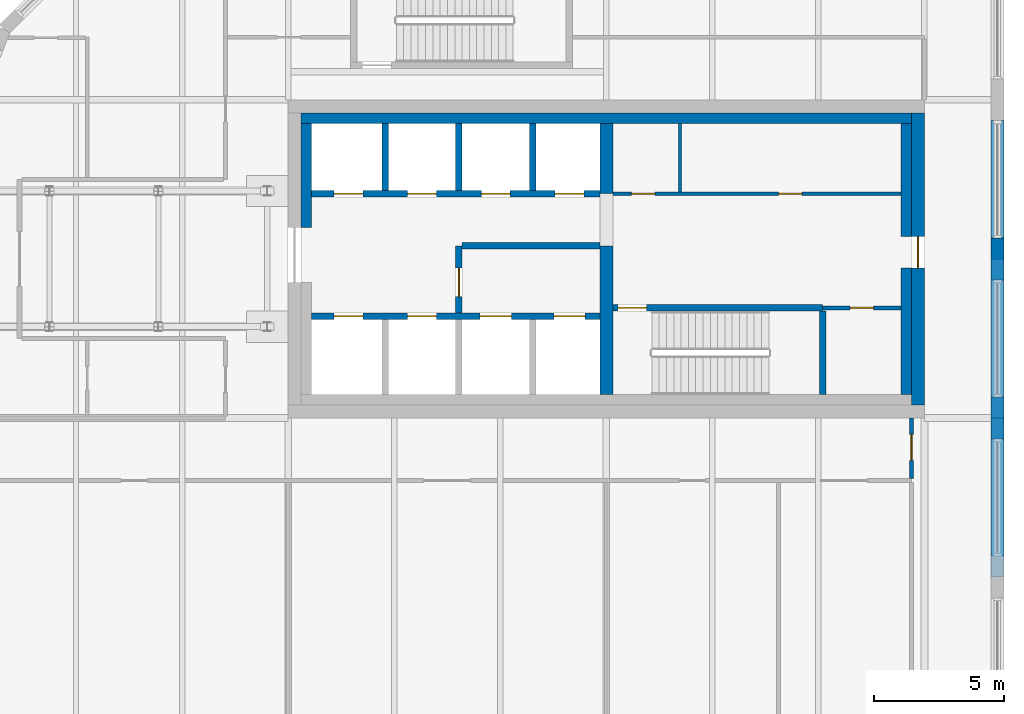
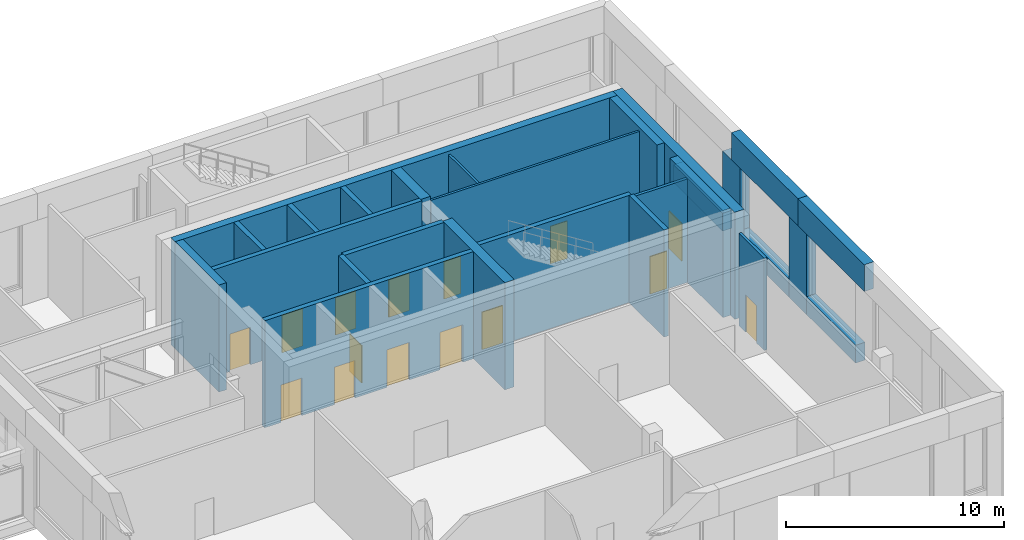
# One storey, part 29 of 36: 27 walls, 15 doors, 15 openings.
"""IFC4 building model written with IfcOpenShell, lengths in metres."""

from ifc_helpers import new_model, si_unit, direction, frame, frame_2d, origin, place, context, subcontext, project, spatial, polyline, rectangle, outline, extrude, faceted_brep, source, transform, mapped, material, layer, layer_set, type_object, element, fill, save


model = new_model("IFC4")

# Units and contexts
model_context = context("Model", 3, precision=1e-05, world=origin(), true_north=direction((0.0, 1.0)))
body_context = subcontext(model_context, "Body", "Model", "MODEL_VIEW")
ifc_project = project(units=[si_unit("LENGTHUNIT", "METRE"), si_unit("AREAUNIT", "SQUARE_METRE"), si_unit("VOLUMEUNIT", "CUBIC_METRE"), si_unit("PLANEANGLEUNIT", "RADIAN"), si_unit("MASSUNIT", "GRAM", prefix="KILO")], contexts=[model_context])

# Site, building, storey
site_placement = place(None, origin())
site = spatial("IfcSite", under=ifc_project, at=site_placement, CompositionType="ELEMENT")
building_placement = place(site_placement, origin())
building = spatial("IfcBuilding", under=site, at=building_placement, Name="Tessera Gate Towers", CompositionType="ELEMENT")
storey_placement = place(building_placement, frame((0.0, 0.0, 106.60009765625)))
storey = spatial("IfcBuildingStorey", under=building, at=storey_placement, Name="L26", CompositionType="ELEMENT", Elevation=106.60009765625)

# Wall, openings, doors
ifc_material_1 = material(Name="Concrete C40/50", Category="concrete")
ifc_layer_1 = layer(ifc_material_1, 0.25)
ifc_layer_set_1 = layer_set([ifc_layer_1], Name="CORE ENCLOSURE WALL 250")
wall_type_1 = type_object("IfcWallType", Name="CORE ENCLOSURE WALL 250", PredefinedType="SOLIDWALL", material=ifc_layer_set_1)
wall_1_placement = place(storey_placement, frame((98.5, 40.5, 0.0), z_axis=(0.0, 0.0, 1.0), x_axis=(1.0, 0.0, 0.0)))
wall_1 = element("IfcWall", 1, at=wall_1_placement, inside=storey, type_object=wall_type_1, Name="L26 shaft and stair enclosure wall", PredefinedType="SOLIDWALL", context=body_context, shape_type="SweptSolid", body=[
    extrude(rectangle(XDim=11.050048828125, YDim=0.25, at=frame_2d((5.52490234375, 0.0))), origin(), (0.0, 0.0, 1.0), 6.0),
])
shared_shape_1 = source(origin(), body_context, "Body", "SweptSolid", [
    extrude(rectangle(XDim=1.10009765625, YDim=2.10009765625, at=frame_2d((0.550048828125, 1.050048828125))), frame((0.0, 0.135009765625, 0.0), z_axis=(0.0, -1.0, 0.0), x_axis=(1.0, 0.0, 0.0)), (0.0, 0.0, 1.0), 0.27001953125),
])
opening_1_placement = place(wall_1_placement, frame((0.862548828125, 0.0, 0.0)))
opening_1 = element("IfcOpeningElement", 2, at=opening_1_placement, cuts=wall_1, Name="Opening LD-TL1", PredefinedType="OPENING", context=body_context, shape_type="MappedRepresentation", body=[
    mapped(shared_shape_1, transform((0.0, 0.0, 0.0), scale=1.0)),
])
opening_2_placement = place(wall_1_placement, frame((3.6875, 0.0, 0.0)))
opening_2 = element("IfcOpeningElement", 3, at=opening_2_placement, cuts=wall_1, Name="Opening LD-TL2", PredefinedType="OPENING", context=body_context, shape_type="MappedRepresentation", body=[
    mapped(shared_shape_1, transform((0.0, 0.0, 0.0), scale=1.0)),
])
shared_shape_2 = source(origin(), body_context, "Body", "SweptSolid", [
    extrude(rectangle(XDim=1.199951171875, YDim=2.10009765625, at=frame_2d((0.60009765625, 1.050048828125))), frame((0.0, 0.135009765625, 0.0), z_axis=(0.0, -1.0, 0.0), x_axis=(1.0, 0.0, 0.0)), (0.0, 0.0, 1.0), 0.27001953125),
])
opening_3_placement = place(wall_1_placement, frame((6.46240234375, 0.0, 0.0)))
opening_3 = element("IfcOpeningElement", 4, at=opening_3_placement, cuts=wall_1, Name="Opening LD-FF3", PredefinedType="OPENING", context=body_context, shape_type="MappedRepresentation", body=[
    mapped(shared_shape_2, transform((0.0, 0.0, 0.0), scale=1.0)),
])
opening_4_placement = place(wall_1_placement, frame((9.28759765625, 0.0, 0.0)))
opening_4 = element("IfcOpeningElement", 5, at=opening_4_placement, cuts=wall_1, Name="Opening LD-FF4", PredefinedType="OPENING", context=body_context, shape_type="MappedRepresentation", body=[
    mapped(shared_shape_2, transform((0.0, 0.0, 0.0), scale=1.0)),
])
ifc_material_2 = material(Name="Stainless steel", Category="steel")
door_type_1 = type_object("IfcDoorType", Name="CORE DOOR LD1200 1200x2100", OperationType="DOUBLE_DOOR_SLIDING", PredefinedType="DOOR", material=ifc_material_2)
shared_shape_3 = source(origin(), body_context, "Body", "SweptSolid", [
    extrude(rectangle(XDim=1.199951171875, YDim=2.10009765625, at=frame_2d((0.60009765625, 1.050048828125))), frame((0.0, 0.02490234375, 0.0), z_axis=(0.0, -1.0, 0.0), x_axis=(1.0, 0.0, 0.0)), (0.0, 0.0, 1.0), 0.050048828125),
])
door_1_placement = place(opening_3_placement, origin())
door_1 = element("IfcDoor", 6, at=door_1_placement, inside=storey, type_object=door_type_1, Name="Landing door FF3 L26", OperationType="DOUBLE_DOOR_SLIDING", OverallHeight=2.10009765625, OverallWidth=1.199951171875, PredefinedType="DOOR", context=body_context, shape_type="MappedRepresentation", body=[
    mapped(shared_shape_3, transform((0.0, 0.0, 0.0), scale=1.0)),
])
fill(opening_3, door_1)
door_2_placement = place(opening_4_placement, origin())
door_2 = element("IfcDoor", 7, at=door_2_placement, inside=storey, type_object=door_type_1, Name="Landing door FF4 L26", OperationType="DOUBLE_DOOR_SLIDING", OverallHeight=2.10009765625, OverallWidth=1.199951171875, PredefinedType="DOOR", context=body_context, shape_type="MappedRepresentation", body=[
    mapped(shared_shape_3, transform((0.0, 0.0, 0.0), scale=1.0)),
])
fill(opening_4, door_2)
ifc_material_3 = material(Name="Stainless steel", Category="steel")
door_type_2 = type_object("IfcDoorType", Name="CORE DOOR LD 1100x2100", OperationType="DOUBLE_DOOR_SLIDING", PredefinedType="DOOR", material=ifc_material_3)
shared_shape_4 = source(origin(), body_context, "Body", "SweptSolid", [
    extrude(rectangle(XDim=1.10009765625, YDim=2.10009765625, at=frame_2d((0.550048828125, 1.050048828125))), frame((0.0, 0.02490234375, 0.0), z_axis=(0.0, -1.0, 0.0), x_axis=(1.0, 0.0, 0.0)), (0.0, 0.0, 1.0), 0.050048828125),
])
door_3_placement = place(opening_1_placement, origin())
door_3 = element("IfcDoor", 8, at=door_3_placement, inside=storey, type_object=door_type_2, Name="Landing door TL1 L26", OperationType="DOUBLE_DOOR_SLIDING", OverallHeight=2.10009765625, OverallWidth=1.10009765625, PredefinedType="DOOR", context=body_context, shape_type="MappedRepresentation", body=[
    mapped(shared_shape_4, transform((0.0, 0.0, 0.0), scale=1.0)),
])
fill(opening_1, door_3)
door_4_placement = place(opening_2_placement, origin())
door_4 = element("IfcDoor", 9, at=door_4_placement, inside=storey, type_object=door_type_2, Name="Landing door TL2 L26", OperationType="DOUBLE_DOOR_SLIDING", OverallHeight=2.10009765625, OverallWidth=1.10009765625, PredefinedType="DOOR", context=body_context, shape_type="MappedRepresentation", body=[
    mapped(shared_shape_4, transform((0.0, 0.0, 0.0), scale=1.0)),
])
fill(opening_2, door_4)

wall_2_placement = place(storey_placement, frame((109.550048828125, 45.199951171875, 0.0), z_axis=(0.0, 0.0, 1.0), x_axis=(-1.0, 0.0, 0.0)))
wall_2 = element("IfcWall", 10, at=wall_2_placement, inside=storey, type_object=wall_type_1, Name="L26 shaft and stair enclosure wall", PredefinedType="SOLIDWALL", context=body_context, shape_type="SweptSolid", body=[
    extrude(rectangle(XDim=11.050048828125, YDim=0.25, at=frame_2d((5.52490234375, 0.0))), origin(), (0.0, 0.0, 1.0), 6.0),
])
opening_5_placement = place(wall_2_placement, frame((9.08740234375, 0.0, 0.0)))
opening_5 = element("IfcOpeningElement", 11, at=opening_5_placement, cuts=wall_2, Name="Opening LD-TL3", PredefinedType="OPENING", context=body_context, shape_type="MappedRepresentation", body=[
    mapped(shared_shape_1, transform((0.0, 0.0, 0.0), scale=1.0)),
])
opening_6_placement = place(wall_2_placement, frame((6.262451171875, 0.0, 0.0)))
opening_6 = element("IfcOpeningElement", 12, at=opening_6_placement, cuts=wall_2, Name="Opening LD-TL4", PredefinedType="OPENING", context=body_context, shape_type="MappedRepresentation", body=[
    mapped(shared_shape_1, transform((0.0, 0.0, 0.0), scale=1.0)),
])
opening_7_placement = place(wall_2_placement, frame((3.4375, 0.0, 0.0)))
opening_7 = element("IfcOpeningElement", 13, at=opening_7_placement, cuts=wall_2, Name="Opening LD-TL5", PredefinedType="OPENING", context=body_context, shape_type="MappedRepresentation", body=[
    mapped(shared_shape_1, transform((0.0, 0.0, 0.0), scale=1.0)),
])
opening_8_placement = place(wall_2_placement, frame((0.612548828125, 0.0, 0.0)))
opening_8 = element("IfcOpeningElement", 14, at=opening_8_placement, cuts=wall_2, Name="Opening LD-TL6", PredefinedType="OPENING", context=body_context, shape_type="MappedRepresentation", body=[
    mapped(shared_shape_1, transform((0.0, 0.0, 0.0), scale=1.0)),
])
door_5_placement = place(opening_5_placement, origin())
door_5 = element("IfcDoor", 15, at=door_5_placement, inside=storey, type_object=door_type_2, Name="Landing door TL3 L26", OperationType="DOUBLE_DOOR_SLIDING", OverallHeight=2.10009765625, OverallWidth=1.10009765625, PredefinedType="DOOR", context=body_context, shape_type="MappedRepresentation", body=[
    mapped(shared_shape_4, transform((0.0, 0.0, 0.0), scale=1.0)),
])
fill(opening_5, door_5)
door_6_placement = place(opening_6_placement, origin())
door_6 = element("IfcDoor", 16, at=door_6_placement, inside=storey, type_object=door_type_2, Name="Landing door TL4 L26", OperationType="DOUBLE_DOOR_SLIDING", OverallHeight=2.10009765625, OverallWidth=1.10009765625, PredefinedType="DOOR", context=body_context, shape_type="MappedRepresentation", body=[
    mapped(shared_shape_4, transform((0.0, 0.0, 0.0), scale=1.0)),
])
fill(opening_6, door_6)
door_7_placement = place(opening_7_placement, origin())
door_7 = element("IfcDoor", 17, at=door_7_placement, inside=storey, type_object=door_type_2, Name="Landing door TL5 L26", OperationType="DOUBLE_DOOR_SLIDING", OverallHeight=2.10009765625, OverallWidth=1.10009765625, PredefinedType="DOOR", context=body_context, shape_type="MappedRepresentation", body=[
    mapped(shared_shape_4, transform((0.0, 0.0, 0.0), scale=1.0)),
])
fill(opening_7, door_7)
door_8_placement = place(opening_8_placement, origin())
door_8 = element("IfcDoor", 18, at=door_8_placement, inside=storey, type_object=door_type_2, Name="Landing door TL6 L26", OperationType="DOUBLE_DOOR_SLIDING", OverallHeight=2.10009765625, OverallWidth=1.10009765625, PredefinedType="DOOR", context=body_context, shape_type="MappedRepresentation", body=[
    mapped(shared_shape_4, transform((0.0, 0.0, 0.0), scale=1.0)),
])
fill(opening_8, door_8)

# Wall, opening, door
wall_3_placement = place(storey_placement, frame((118.10009765625, 40.824951171875, 0.0), z_axis=(0.0, 0.0, 1.0), x_axis=(-1.0, 0.0, 0.0)))
wall_3 = element("IfcWall", 19, at=wall_3_placement, inside=storey, type_object=wall_type_1, Name="L26 shaft and stair enclosure wall", PredefinedType="SOLIDWALL", context=body_context, shape_type="SweptSolid", body=[
    extrude(rectangle(XDim=8.050048828125, YDim=0.25, at=frame_2d((4.02490234375, 0.0))), origin(), (0.0, 0.0, 1.0), 6.0),
])
opening_9_placement = place(wall_3_placement, frame((6.75, 0.0, 0.0)))
opening_9 = element("IfcOpeningElement", 20, at=opening_9_placement, cuts=wall_3, Name="Opening SD-ST6-1", PredefinedType="OPENING", context=body_context, shape_type="MappedRepresentation", body=[
    mapped(shared_shape_1, transform((0.0, 0.0, 0.0), scale=1.0)),
])
ifc_material_4 = material(Name="Hollow steel fire door", Category="steel")
door_type_3 = type_object("IfcDoorType", Name="CORE DOOR SD1100 1100x2100", OperationType="NOTDEFINED", PredefinedType="DOOR", material=ifc_material_4)
door_9_placement = place(opening_9_placement, origin())
door_9 = element("IfcDoor", 21, at=door_9_placement, inside=storey, type_object=door_type_3, Name="Stair door", OperationType="SINGLE_SWING_RIGHT", OverallHeight=2.10009765625, OverallWidth=1.10009765625, PredefinedType="DOOR", context=body_context, shape_type="MappedRepresentation", body=[
    mapped(shared_shape_4, transform((0.0, 0.0, 0.0), scale=1.0)),
])
fill(opening_9, door_9)

wall_4_placement = place(storey_placement, frame((104.14990234375, 43.199951171875, 0.0), z_axis=(0.0, 0.0, 1.0), x_axis=(0.0, -1.0, 0.0)))
wall_4 = element("IfcWall", 22, at=wall_4_placement, inside=storey, type_object=wall_type_1, Name="L26 shaft and stair enclosure wall", PredefinedType="SOLIDWALL", context=body_context, shape_type="SweptSolid", body=[
    extrude(rectangle(XDim=2.574951171875, YDim=0.25, at=frame_2d((1.28759765625, 0.0))), origin(), (0.0, 0.0, 1.0), 6.0),
])
opening_10_placement = place(wall_4_placement, frame((0.85009765625, 0.0, 0.0)))
opening_10 = element("IfcOpeningElement", 23, at=opening_10_placement, cuts=wall_4, Name="Opening FD-T2-13-03", PredefinedType="OPENING", context=body_context, shape_type="MappedRepresentation", body=[
    mapped(shared_shape_1, transform((0.0, 0.0, 0.0), scale=1.0)),
])
ifc_material_5 = material(Name="Hollow steel fire door", Category="steel")
door_type_4 = type_object("IfcDoorType", Name="CORE DOOR FD 1100x2100", OperationType="NOTDEFINED", PredefinedType="DOOR", material=ifc_material_5)
door_10_placement = place(opening_10_placement, origin())
door_10 = element("IfcDoor", 24, at=door_10_placement, inside=storey, type_object=door_type_4, Name="Fire-fighting lobby door", OperationType="SINGLE_SWING_RIGHT", OverallHeight=2.10009765625, OverallWidth=1.10009765625, PredefinedType="DOOR", context=body_context, shape_type="MappedRepresentation", body=[
    mapped(shared_shape_4, transform((0.0, 0.0, 0.0), scale=1.0)),
])
fill(opening_10, door_10)

# Walls
wall_5_placement = place(storey_placement, frame((104.27490234375, 43.199951171875, 0.0), z_axis=(0.0, 0.0, 1.0), x_axis=(1.0, 0.0, 0.0)))
element("IfcWall", 25, at=wall_5_placement, inside=storey, type_object=wall_type_1, Name="L26 shaft and stair enclosure wall", PredefinedType="SOLIDWALL", context=body_context, shape_type="SweptSolid", body=[
    extrude(rectangle(XDim=5.275146484375, YDim=0.25, at=frame_2d((2.6376953125, 0.0))), origin(), (0.0, 0.0, 1.0), 6.0),
])
wall_6_placement = place(storey_placement, frame((118.10009765625, 37.5, 0.0), z_axis=(0.0, 0.0, 1.0), x_axis=(0.0, 1.0, 0.0)))
element("IfcWall", 26, at=wall_6_placement, inside=storey, type_object=wall_type_1, Name="L26 shaft and stair enclosure wall", PredefinedType="SOLIDWALL", context=body_context, shape_type="SweptSolid", body=[
    extrude(rectangle(XDim=3.199951171875, YDim=0.25, at=frame_2d((1.60009765625, 0.0))), origin(), (0.0, 0.0, 1.0), 6.0),
])
for number, where, z_axis, x_axis, name in (
    (27, (101.324951171875, 45.324951171875, 0.0), (0.0, 0.0, 1.0), (0.0, 1.0, 0.0), "L26 shaft and stair enclosure wall"),
    (28, (104.14990234375, 45.324951171875, 0.0), (0.0, 0.0, 1.0), (0.0, 1.0, 0.0), "L26 shaft and stair enclosure wall"),
    (29, (106.97509765625, 45.324951171875, 0.0), (0.0, 0.0, 1.0), (0.0, 1.0, 0.0), "L26 shaft and stair enclosure wall"),
):
    element("IfcWall", number, at=place(storey_placement, frame(where, z_axis=z_axis, x_axis=x_axis)), inside=storey, type_object=wall_type_1, Name=name, PredefinedType="SOLIDWALL", context=body_context, shape_type="SweptSolid", body=[
        extrude(rectangle(XDim=2.574951171875, YDim=0.25, at=frame_2d((1.28759765625, 0.0))), origin(), (0.0, 0.0, 1.0), 6.0),
    ])

# Wall, openings, doors
ifc_material_6 = material(Name="Gypsum board on steel studs", Category="steel")
ifc_layer_2 = layer(ifc_material_6, 0.1201171875)
ifc_layer_set_2 = layer_set([ifc_layer_2], Name="CORE PARTITION 120")
wall_type_2 = type_object("IfcWallType", Name="CORE PARTITION 120", PredefinedType="PARTITIONING", material=ifc_layer_set_2)
wall_7_placement = place(storey_placement, frame((110.050048828125, 45.199951171875, 0.0), z_axis=(0.0, 0.0, 1.0), x_axis=(1.0, 0.0, 0.0)))
wall_7 = element("IfcWall", 30, at=wall_7_placement, inside=storey, type_object=wall_type_2, Name="L26 core partition", PredefinedType="PARTITIONING", context=body_context, shape_type="SweptSolid", body=[
    extrude(rectangle(XDim=11.050048828125, YDim=0.1201171875, at=frame_2d((5.52490234375, 0.0))), origin(), (0.0, 0.0, 1.0), 5.7998046875),
])
shared_shape_5 = source(origin(), body_context, "Body", "SweptSolid", [
    extrude(rectangle(XDim=0.89990234375, YDim=2.10009765625, at=frame_2d((0.449951171875, 1.050048828125))), frame((0.0, 0.070068359375, 0.0), z_axis=(0.0, -1.0, 0.0), x_axis=(1.0, 0.0, 0.0)), (0.0, 0.0, 1.0), 0.14013671875),
])
opening_11_placement = place(wall_7_placement, frame((0.71240234375, 0.0, 0.0)))
opening_11 = element("IfcOpeningElement", 31, at=opening_11_placement, cuts=wall_7, Name="Opening RD-T2-13-04", PredefinedType="OPENING", context=body_context, shape_type="MappedRepresentation", body=[
    mapped(shared_shape_5, transform((0.0, 0.0, 0.0), scale=1.0)),
])
opening_12_placement = place(wall_7_placement, frame((6.362548828125, 0.0, 0.0)))
opening_12 = element("IfcOpeningElement", 32, at=opening_12_placement, cuts=wall_7, Name="Opening RD-T2-13-05", PredefinedType="OPENING", context=body_context, shape_type="MappedRepresentation", body=[
    mapped(shared_shape_5, transform((0.0, 0.0, 0.0), scale=1.0)),
])
ifc_material_7 = material(Name="Hollow steel fire door", Category="steel")
door_type_5 = type_object("IfcDoorType", Name="CORE DOOR RD 900x2100", OperationType="NOTDEFINED", PredefinedType="DOOR", material=ifc_material_7)
shared_shape_6 = source(origin(), body_context, "Body", "SweptSolid", [
    extrude(rectangle(XDim=0.89990234375, YDim=2.10009765625, at=frame_2d((0.449951171875, 1.050048828125))), frame((0.0, 0.02490234375, 0.0), z_axis=(0.0, -1.0, 0.0), x_axis=(1.0, 0.0, 0.0)), (0.0, 0.0, 1.0), 0.050048828125),
])
door_11_placement = place(opening_11_placement, origin())
door_11 = element("IfcDoor", 33, at=door_11_placement, inside=storey, type_object=door_type_5, Name="Core room door", OperationType="SINGLE_SWING_LEFT", OverallHeight=2.10009765625, OverallWidth=0.89990234375, PredefinedType="DOOR", context=body_context, shape_type="MappedRepresentation", body=[
    mapped(shared_shape_6, transform((0.0, 0.0, 0.0), scale=1.0)),
])
fill(opening_11, door_11)
door_12_placement = place(opening_12_placement, origin())
door_12 = element("IfcDoor", 34, at=door_12_placement, inside=storey, type_object=door_type_5, Name="Core room door", OperationType="SINGLE_SWING_RIGHT", OverallHeight=2.10009765625, OverallWidth=0.89990234375, PredefinedType="DOOR", context=body_context, shape_type="MappedRepresentation", body=[
    mapped(shared_shape_6, transform((0.0, 0.0, 0.0), scale=1.0)),
])
fill(opening_12, door_12)

# Wall
wall_8_placement = place(storey_placement, frame((112.625, 45.260009765625, 0.0), z_axis=(0.0, 0.0, 1.0), x_axis=(0.0, 1.0, 0.0)))
element("IfcWall", 35, at=wall_8_placement, inside=storey, type_object=wall_type_2, Name="L26 core partition", PredefinedType="PARTITIONING", context=body_context, shape_type="SweptSolid", body=[
    extrude(rectangle(XDim=2.639892578125, YDim=0.1201171875, at=frame_2d((1.31982421875, 0.0))), origin(), (0.0, 0.0, 1.0), 5.7998046875),
])

# Wall, opening, door
ifc_material_8 = material(Name="Concrete C50/60", Category="concrete")
ifc_layer_3 = layer(ifc_material_8, 0.5)
ifc_layer_set_3 = layer_set([ifc_layer_3], Name="CORE SHEAR WALL 500 C50/60")
wall_type_3 = type_object("IfcWallType", Name="CORE SHEAR WALL 500 C50/60", PredefinedType="SHEAR", material=ifc_layer_set_3)
wall_9_placement = place(storey_placement, frame((121.75, 48.300048828125, 0.0), z_axis=(0.0, 0.0, 1.0), x_axis=(0.0, -1.0, 0.0)))
wall_9 = element("IfcWall", 36, at=wall_9_placement, inside=storey, type_object=wall_type_3, Name="Core wall E L26", PredefinedType="SHEAR", context=body_context, shape_type="SweptSolid", body=[
    extrude(rectangle(XDim=11.199951171875, YDim=0.5, at=frame_2d((5.60009765625, 0.0))), origin(), (0.0, 0.0, 1.0), 6.0),
])
shared_shape_7 = source(origin(), body_context, "Body", "SweptSolid", [
    extrude(rectangle(XDim=1.199951171875, YDim=2.10009765625, at=frame_2d((0.60009765625, 1.050048828125))), frame((0.0, 0.260009765625, 0.0), z_axis=(0.0, -1.0, 0.0), x_axis=(1.0, 0.0, 0.0)), (0.0, 0.0, 1.0), 0.52001953125),
])
opening_13_placement = place(wall_9_placement, frame((4.75, 0.0, 0.0)))
opening_13 = element("IfcOpeningElement", 37, at=opening_13_placement, cuts=wall_9, Name="Opening ED-T2-13-02", PredefinedType="OPENING", context=body_context, shape_type="MappedRepresentation", body=[
    mapped(shared_shape_7, transform((0.0, 0.0, 0.0), scale=1.0)),
])
ifc_material_9 = material(Name="Hollow steel fire door", Category="steel")
door_type_6 = type_object("IfcDoorType", Name="CORE DOOR ED 1200x2100", OperationType="NOTDEFINED", PredefinedType="DOOR", material=ifc_material_9)
door_13_placement = place(opening_13_placement, origin())
door_13 = element("IfcDoor", 38, at=door_13_placement, inside=storey, type_object=door_type_6, Name="Core exit door", OperationType="SINGLE_SWING_LEFT", OverallHeight=2.10009765625, OverallWidth=1.199951171875, PredefinedType="DOOR", context=body_context, shape_type="MappedRepresentation", body=[
    mapped(shared_shape_3, transform((0.0, 0.0, 0.0), scale=1.0)),
])
fill(opening_13, door_13)

# Walls
ifc_material_10 = material(Name="Concrete C50/60", Category="concrete")
ifc_layer_4 = layer(ifc_material_10, 0.5)
ifc_layer_set_4 = layer_set([ifc_layer_4], Name="CORE SPINE WALL 500 C50/60")
wall_type_4 = type_object("IfcWallType", Name="CORE SPINE WALL 500 C50/60", PredefinedType="SHEAR", material=ifc_layer_set_4)
wall_10_placement = place(storey_placement, frame((109.800048828125, 37.5, 0.0), z_axis=(0.0, 0.0, 1.0), x_axis=(0.0, 1.0, 0.0)))
element("IfcWall", 39, at=wall_10_placement, inside=storey, type_object=wall_type_4, Name="Core wall spine L26", PredefinedType="SHEAR", context=body_context, shape_type="SweptSolid", body=[
    extrude(rectangle(XDim=5.699951171875, YDim=0.5, at=frame_2d((2.85009765625, 0.0))), origin(), (0.0, 0.0, 1.0), 6.0),
])
wall_11_placement = place(storey_placement, frame((109.800048828125, 45.199951171875, 0.0), z_axis=(0.0, 0.0, 1.0), x_axis=(0.0, 1.0, 0.0)))
element("IfcWall", 40, at=wall_11_placement, inside=storey, type_object=wall_type_4, Name="Core wall spine L26", PredefinedType="SHEAR", context=body_context, shape_type="SweptSolid", body=[
    extrude(rectangle(XDim=2.699951171875, YDim=0.5, at=frame_2d((1.35009765625, 0.0))), origin(), (0.0, 0.0, 1.0), 6.0),
])
ifc_material_11 = material(Name="Concrete C50/60", Category="concrete")
ifc_layer_5 = layer(ifc_material_11, 0.39990234375)
ifc_layer_set_5 = layer_set([ifc_layer_5], Name="CORE WALL THICKENING 400")
wall_type_5 = type_object("IfcWallType", Name="CORE WALL THICKENING 400", PredefinedType="SOLIDWALL", material=ifc_layer_set_5)
wall_12_placement = place(storey_placement, frame((98.10009765625, 48.10009765625, 0.0), z_axis=(0.0, 0.0, 1.0), x_axis=(1.0, 0.0, 0.0)))
element("IfcWall", 41, at=wall_12_placement, inside=storey, type_object=wall_type_5, Name="Core wall thickening N L26", PredefinedType="SOLIDWALL", context=body_context, shape_type="SweptSolid", body=[
    extrude(rectangle(XDim=23.39990234375, YDim=0.39990234375, at=frame_2d((11.699951171875, 0.0))), origin(), (0.0, 0.0, 1.0), 6.0),
])
wall_13_placement = place(storey_placement, frame((98.300048828125, 43.89990234375, 0.0), z_axis=(0.0, 0.0, 1.0), x_axis=(0.0, 1.0, 0.0)))
element("IfcWall", 42, at=wall_13_placement, inside=storey, type_object=wall_type_5, Name="Core wall thickening W L26", PredefinedType="SOLIDWALL", context=body_context, shape_type="SweptSolid", body=[
    extrude(rectangle(XDim=4.0, YDim=0.39990234375, at=frame_2d((2.0, 0.0))), origin(), (0.0, 0.0, 1.0), 6.0),
])
wall_14_placement = place(storey_placement, frame((121.300048828125, 37.5, 0.0), z_axis=(0.0, 0.0, 1.0), x_axis=(0.0, 1.0, 0.0)))
element("IfcWall", 43, at=wall_14_placement, inside=storey, type_object=wall_type_5, Name="Core wall thickening E L26", PredefinedType="SOLIDWALL", context=body_context, shape_type="SweptSolid", body=[
    extrude(rectangle(XDim=4.85009765625, YDim=0.39990234375, at=frame_2d((2.425048828125, 0.0))), origin(), (0.0, 0.0, 1.0), 6.0),
])
wall_15_placement = place(storey_placement, frame((121.300048828125, 43.550048828125, 0.0), z_axis=(0.0, 0.0, 1.0), x_axis=(0.0, 1.0, 0.0)))
element("IfcWall", 44, at=wall_15_placement, inside=storey, type_object=wall_type_5, Name="Core wall thickening E L26", PredefinedType="SOLIDWALL", context=body_context, shape_type="SweptSolid", body=[
    extrude(rectangle(XDim=4.349853515625, YDim=0.39990234375, at=frame_2d((2.1748046875, 0.0))), origin(), (0.0, 0.0, 1.0), 6.0),
])

# Wall, opening, door
ifc_material_12 = material(Name="Gypsum board on steel studs, mineral wool", Category="steel")
ifc_layer_6 = layer(ifc_material_12, 0.14990234375)
ifc_layer_set_6 = layer_set([ifc_layer_6], Name="CORRIDOR WALL 150")
wall_type_6 = type_object("IfcWallType", Name="CORRIDOR WALL 150", PredefinedType="PARTITIONING", material=ifc_layer_set_6)
wall_16_placement = place(storey_placement, frame((121.5, 36.60009765625, 0.0), z_axis=(0.0, 0.0, 1.0), x_axis=(0.0, -1.0, 0.0)))
wall_16 = element("IfcWall", 45, at=wall_16_placement, inside=storey, type_object=wall_type_6, Name="T2-L26-PW-017", PredefinedType="PARTITIONING", context=body_context, shape_type="SweptSolid", body=[
    extrude(rectangle(XDim=2.32421875, YDim=0.14990234375, at=frame_2d((1.162109375, 0.0))), origin(), (0.0, 0.0, 1.0), 5.1669921875),
])
shared_shape_8 = source(origin(), body_context, "Body", "SweptSolid", [
    extrude(rectangle(XDim=1.0, YDim=2.10009765625, at=frame_2d((0.5, 1.050048828125))), frame((0.0, 0.0849609375, 0.0), z_axis=(0.0, -1.0, 0.0), x_axis=(1.0, 0.0, 0.0)), (0.0, 0.0, 1.0), 0.169921875),
])
opening_14_placement = place(wall_16_placement, frame((0.6240234375, 0.0, 0.0)))
opening_14 = element("IfcOpeningElement", 46, at=opening_14_placement, cuts=wall_16, Name="Opening D2100FD60-B11-05", PredefinedType="OPENING", context=body_context, shape_type="MappedRepresentation", body=[
    mapped(shared_shape_8, transform((0.0, 0.0, 0.0), scale=1.0)),
])
ifc_material_13 = material(Name="Timber door leaf in steel frame", Category="steel")
door_type_7 = type_object("IfcDoorType", Name="TENANCY ENTRANCE DOOR 1000 FD60", OperationType="NOTDEFINED", PredefinedType="DOOR", material=ifc_material_13)
shared_shape_9 = source(origin(), body_context, "Body", "SweptSolid", [
    extrude(rectangle(XDim=1.0, YDim=2.10009765625, at=frame_2d((0.5, 1.050048828125))), frame((0.0, 0.02490234375, 0.0), z_axis=(0.0, -1.0, 0.0), x_axis=(1.0, 0.0, 0.0)), (0.0, 0.0, 1.0), 0.050048828125),
])
door_14_placement = place(opening_14_placement, origin())
door_14 = element("IfcDoor", 47, at=door_14_placement, inside=storey, type_object=door_type_7, Name="T2-L26-PD-017", OperationType="SINGLE_SWING_RIGHT", OverallHeight=2.10009765625, OverallWidth=1.0, PredefinedType="DOOR", context=body_context, shape_type="MappedRepresentation", body=[
    mapped(shared_shape_9, transform((0.0, 0.0, 0.0), scale=1.0)),
])
fill(opening_14, door_14)

ifc_material_14 = material(Name="Gypsum board on steel studs", Category="steel")
ifc_layer_7 = layer(ifc_material_14, 0.14990234375)
ifc_layer_set_7 = layer_set([ifc_layer_7], Name="SERVICE ROOM WALL 150")
wall_type_7 = type_object("IfcWallType", Name="SERVICE ROOM WALL 150", PredefinedType="PARTITIONING", material=ifc_layer_set_7)
wall_17_placement = place(storey_placement, frame((121.10009765625, 40.824951171875, 0.0), z_axis=(0.0, 0.0, 1.0), x_axis=(-1.0, 0.0, 0.0)))
wall_17 = element("IfcWall", 48, at=wall_17_placement, inside=storey, type_object=wall_type_7, Name="L26 service room wall", PredefinedType="PARTITIONING", context=body_context, shape_type="SweptSolid", body=[
    extrude(rectangle(XDim=3.0, YDim=0.14990234375, at=frame_2d((1.5, 0.0))), origin(), (0.0, 0.0, 1.0), 5.7998046875),
])
shared_shape_10 = source(origin(), body_context, "Body", "SweptSolid", [
    extrude(rectangle(XDim=0.89990234375, YDim=2.10009765625, at=frame_2d((0.449951171875, 1.050048828125))), frame((0.0, 0.0849609375, 0.0), z_axis=(0.0, -1.0, 0.0), x_axis=(1.0, 0.0, 0.0)), (0.0, 0.0, 1.0), 0.169921875),
])
opening_15_placement = place(wall_17_placement, frame((1.050048828125, 0.0, 0.0)))
opening_15 = element("IfcOpeningElement", 49, at=opening_15_placement, cuts=wall_17, Name="Opening RD-T2-13-06", PredefinedType="OPENING", context=body_context, shape_type="MappedRepresentation", body=[
    mapped(shared_shape_10, transform((0.0, 0.0, 0.0), scale=1.0)),
])
door_15_placement = place(opening_15_placement, origin())
door_15 = element("IfcDoor", 50, at=door_15_placement, inside=storey, type_object=door_type_5, Name="Core room door", OperationType="SINGLE_SWING_RIGHT", OverallHeight=2.10009765625, OverallWidth=0.89990234375, PredefinedType="DOOR", context=body_context, shape_type="MappedRepresentation", body=[
    mapped(shared_shape_6, transform((0.0, 0.0, 0.0), scale=1.0)),
])
fill(opening_15, door_15)

# Walls
ifc_material_15 = material(Name="Precast concrete C60/75 white", Category="concrete")
ifc_layer_8 = layer(ifc_material_15, 0.5)
ifc_layer_set_8 = layer_set([ifc_layer_8], Name="RB1 ring band panel")
wall_type_8 = type_object("IfcWallType", Name="RB1 ring band panel", PredefinedType="SOLIDWALL", material=ifc_layer_set_8)
shared_shape_11 = source(origin(), body_context, "Body", "Brep", [
    faceted_brep([(0.0, -0.25, 0.0), (1.599853515625, -0.25, 0.0), (1.599853515625, -0.25, 4.5), (0.0, -0.25, 4.5), (0.0, 0.25, 4.5), (1.599853515625, 0.25, 4.5), (1.599853515625, 0.25, 0.0), (0.0, 0.25, 0.0)], [[[0, 1, 2, 3]], [[4, 5, 6, 7]], [[7, 6, 1, 0]], [[5, 4, 3, 2]], [[4, 7, 0, 3]], [[1, 6, 5, 2]]]),
])
wall_18_placement = place(storey_placement, frame((124.800048828125, 35.800048828125, 0.0), z_axis=(0.0, 0.0, 1.0), x_axis=(0.0, 1.0, 0.0)))
element("IfcWall", 51, at=wall_18_placement, inside=storey, type_object=wall_type_8, Name="Ring band panel T2 RB1-0045", PredefinedType="SOLIDWALL", context=body_context, shape_type="MappedRepresentation", body=[
    mapped(shared_shape_11, transform((0.0, 0.0, 0.0), scale=1.0)),
])
shared_shape_12 = source(origin(), body_context, "Body", "SweptSolid", [
    extrude(outline(polyline([(0.0, 0.0), (1.60009765625, 0.0), (1.60009765625, 4.5), (0.0, 4.5), (0.0, 0.0)])), frame((0.0, 0.25, 0.0), z_axis=(0.0, -1.0, 0.0), x_axis=(1.0, 0.0, 0.0)), (0.0, 0.0, 1.0), 0.5),
])
wall_19_placement = place(storey_placement, frame((124.800048828125, 41.89990234375, 0.0), z_axis=(0.0, 0.0, 1.0), x_axis=(0.0, 1.0, 0.0)))
element("IfcWall", 52, at=wall_19_placement, inside=storey, type_object=wall_type_8, Name="Ring band panel T2 RB1-0046", PredefinedType="SOLIDWALL", context=body_context, shape_type="MappedRepresentation", body=[
    mapped(shared_shape_12, transform((0.0, 0.0, 0.0), scale=1.0)),
])
shared_shape_13 = source(origin(), body_context, "Body", "SweptSolid", [
    extrude(outline(polyline([(0.0, 0.0), (4.5, 0.0), (4.5, 1.0), (0.0, 1.0), (0.0, 0.0)])), frame((0.0, 0.25, 0.0), z_axis=(0.0, -1.0, 0.0), x_axis=(1.0, 0.0, 0.0)), (0.0, 0.0, 1.0), 0.5),
])
for number, where, z_axis, x_axis, name in (
    (53, (124.800048828125, 31.300048828125, 0.0), (0.0, 0.0, 1.0), (0.0, 1.0, 0.0), "Ring band panel T2 RB1-0053"),
    (54, (124.800048828125, 37.39990234375, 0.0), (0.0, 0.0, 1.0), (0.0, 1.0, 0.0), "Ring band panel T2 RB1-0055"),
    (55, (124.800048828125, 43.5, 0.0), (0.0, 0.0, 1.0), (0.0, 1.0, 0.0), "Ring band panel T2 RB1-0057"),
):
    element("IfcWall", number, at=place(storey_placement, frame(where, z_axis=z_axis, x_axis=x_axis)), inside=storey, type_object=wall_type_8, Name=name, PredefinedType="SOLIDWALL", context=body_context, shape_type="MappedRepresentation", body=[
        mapped(shared_shape_13, transform((0.0, 0.0, 0.0), scale=1.0)),
    ])
shared_shape_14 = source(origin(), body_context, "Body", "Brep", [
    faceted_brep([(0.0, -0.25, 0.0), (6.099853515625, -0.25, 0.0), (6.099853515625, -0.25, 1.5), (0.0, -0.25, 1.5), (0.0, 0.25, 1.5), (6.099853515625, 0.25, 1.5), (6.099853515625, 0.25, 0.0), (0.0, 0.25, 0.0)], [[[0, 1, 2, 3]], [[4, 5, 6, 7]], [[7, 6, 1, 0]], [[5, 4, 3, 2]], [[4, 7, 0, 3]], [[1, 6, 5, 2]]]),
])
wall_20_placement = place(storey_placement, frame((124.800048828125, 36.60009765625, 4.5), z_axis=(0.0, 0.0, 1.0), x_axis=(0.0, 1.0, 0.0)))
element("IfcWall", 56, at=wall_20_placement, inside=storey, type_object=wall_type_8, Name="Ring band panel T2 RB1-0056", PredefinedType="SOLIDWALL", context=body_context, shape_type="MappedRepresentation", body=[
    mapped(shared_shape_14, transform((0.0, 0.0, 0.0), scale=1.0)),
])
shared_shape_15 = source(origin(), body_context, "Body", "SweptSolid", [
    extrude(outline(polyline([(0.0, 0.0), (6.10009765625, 0.0), (6.10009765625, 1.5), (0.0, 1.5), (0.0, 0.0)])), frame((0.0, 0.25, 0.0), z_axis=(0.0, -1.0, 0.0), x_axis=(1.0, 0.0, 0.0)), (0.0, 0.0, 1.0), 0.5),
])
wall_21_placement = place(storey_placement, frame((124.800048828125, 30.5, 4.5), z_axis=(0.0, 0.0, 1.0), x_axis=(0.0, 1.0, 0.0)))
element("IfcWall", 57, at=wall_21_placement, inside=storey, type_object=wall_type_8, Name="Ring band panel T2 RB1-0054", PredefinedType="SOLIDWALL", context=body_context, shape_type="MappedRepresentation", body=[
    mapped(shared_shape_15, transform((0.0, 0.0, 0.0), scale=1.0)),
])

save(model, "model.ifc")
